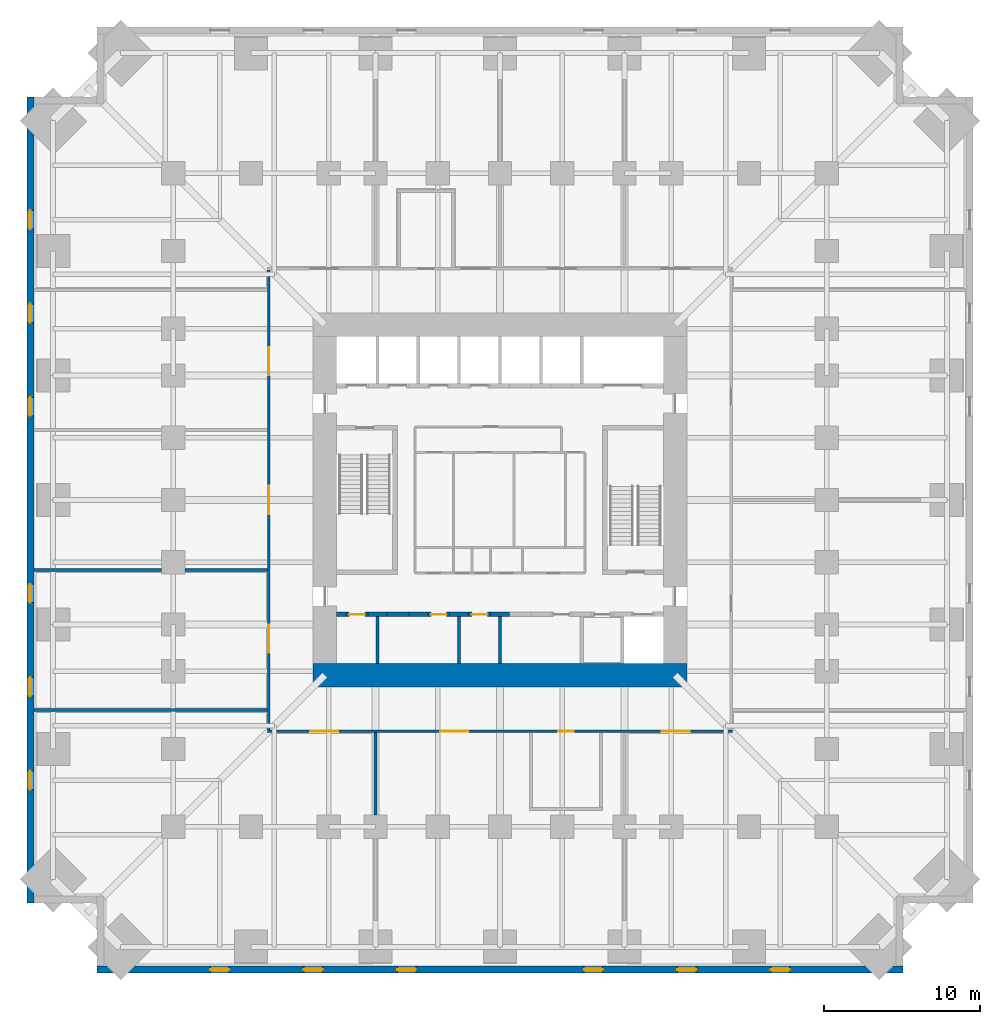
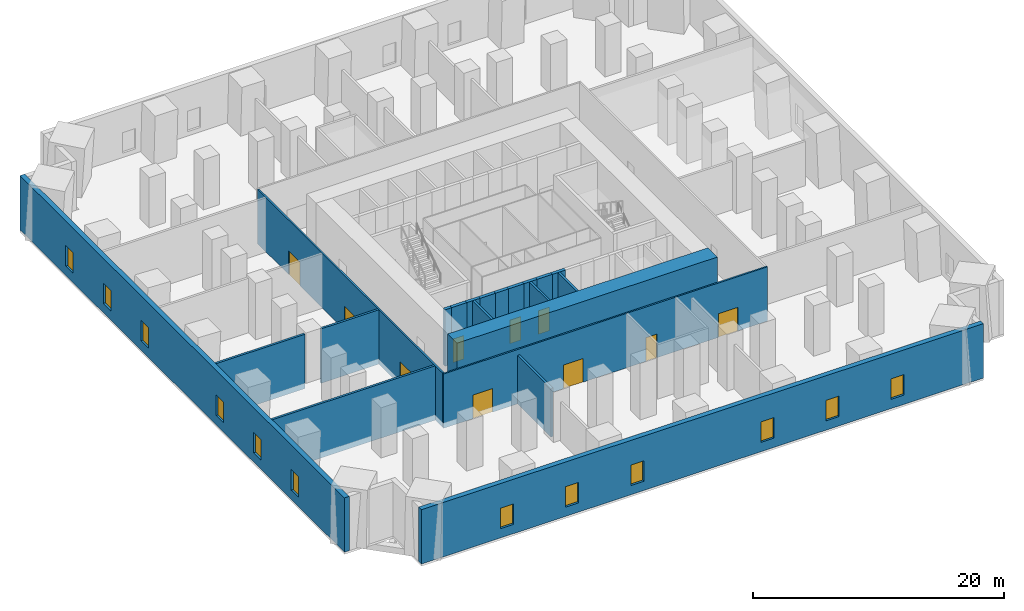
# One storey, part 3 of 8: 21 walls, 12 windows, 10 doors, 22 openings.
"""IFC4 building model written with IfcOpenShell, lengths in metres."""

import ifcopenshell
import ifcopenshell.guid

model = None  # the IFC model being written
_history = None  # IfcOwnerHistory: only IFC2X3 demands one
_inside = {}  # id of a spatial element -> (the spatial element, [elements in it])
_under = {}  # id of a project, library or spatial element -> (it, [spatial elements below it])
_declared = {}  # id of a project -> (the project, [libraries it declares])
_typed = {}  # id of a type object -> (the type object, [elements of that type])
_made_of = {}  # id of a material, layer set ... -> (it, [elements and type objects made of it])


def new_model(schema):
    """Start an empty IFC model of exactly this schema.

    Asked for "IFC4X3", IfcOpenShell would pick the latest addendum, in which some entities
    have other attributes; the version numbers below select the first issue.
    IFC2X3 requires an IfcOwnerHistory on every rooted entity: one is made here for all.
    """
    global model, _history
    if schema == "IFC4X3":
        model = ifcopenshell.file(schema_version=(4, 3, 0, 0))
    else:
        model = ifcopenshell.file(schema=schema)
    _inside.clear()
    _under.clear()
    _declared.clear()
    _typed.clear()
    _made_of.clear()
    _history = None
    if model.schema == "IFC2X3":
        org = make("IfcOrganization", Name="unknown")
        user = make(
            "IfcPersonAndOrganization",
            ThePerson=make("IfcPerson", FamilyName="unknown"),
            TheOrganization=org,
        )
        app = make(
            "IfcApplication",
            ApplicationDeveloper=org,
            Version="unknown",
            ApplicationFullName="unknown",
            ApplicationIdentifier="unknown",
        )
        _history = make(
            "IfcOwnerHistory",
            OwningUser=user,
            OwningApplication=app,
            ChangeAction="ADDED",
            CreationDate=0,
        )
    return model


def make(cls, **values):
    """One entity of the class cls with the attributes given. An attribute that is None is left unset."""
    return model.create_entity(
        cls, **{name: value for name, value in values.items() if value is not None}
    )


def rooted(cls, **values):
    """An entity with a GlobalId (a new one), such as an element, a storey or a relation."""
    return make(cls, GlobalId=ifcopenshell.guid.new(), OwnerHistory=_history, **values)


def si_unit(unit_type, name, prefix=None):
    """IfcSIUnit, for example si_unit("LENGTHUNIT", "METRE", prefix="MILLI")."""
    return make("IfcSIUnit", UnitType=unit_type, Prefix=prefix, Name=name)


def assignment(units):
    """IfcUnitAssignment: the units of a project."""
    return None if units is None else make("IfcUnitAssignment", Units=units)


def point(xyz):
    """IfcCartesianPoint."""
    return None if xyz is None else make("IfcCartesianPoint", Coordinates=xyz)


def direction(xyz):
    """IfcDirection."""
    return None if xyz is None else make("IfcDirection", DirectionRatios=xyz)


def frame(location, z_axis=None, x_axis=None):
    """IfcAxis2Placement3D, a coordinate frame: its origin and axes. An axis left out is left unset."""
    return make(
        "IfcAxis2Placement3D",
        Location=point(location),
        Axis=direction(z_axis),
        RefDirection=direction(x_axis),
    )


def frame_2d(location, x_axis=None):
    """IfcAxis2Placement2D, a coordinate frame in the plane: its origin and x axis."""
    return make(
        "IfcAxis2Placement2D", Location=point(location), RefDirection=direction(x_axis)
    )


def origin():
    """The frame at (0, 0, 0) with its axes left unset."""
    return frame((0.0, 0.0, 0.0))


def place(relative_to, where):
    """IfcLocalPlacement: puts the frame where relative to a parent placement (None: the world)."""
    return make(
        "IfcLocalPlacement", PlacementRelTo=relative_to, RelativePlacement=where
    )


def context(
    kind, dimensions, precision=None, world=None, true_north=None, identifier=None
):
    """IfcGeometricRepresentationContext, for example the 3D "Model" context."""
    return make(
        "IfcGeometricRepresentationContext",
        ContextIdentifier=identifier,
        ContextType=kind,
        CoordinateSpaceDimension=dimensions,
        Precision=precision,
        WorldCoordinateSystem=world,
        TrueNorth=true_north,
    )


def subcontext(parent, identifier, kind, view, scale=None):
    """IfcGeometricRepresentationSubContext, for example "Body" below "Model"."""
    return make(
        "IfcGeometricRepresentationSubContext",
        ContextIdentifier=identifier,
        ContextType=kind,
        ParentContext=parent,
        TargetScale=scale,
        TargetView=view,
    )


def project(units=None, contexts=None):
    """IfcProject with its units and contexts."""
    return rooted(
        "IfcProject",
        Name="project",
        RepresentationContexts=contexts,
        UnitsInContext=assignment(units),
    )


def spatial(cls, under=None, at=None, **own):
    """A site, building, storey or space (cls), placed at a placement, below another one or the project."""
    s = rooted(cls, ObjectPlacement=at, **own)
    if under is not None:
        _under.setdefault(under.id(), (under, []))[1].append(s)
    return s


def profile(cls, at=None, kind="AREA", **sizes):
    """A parametric profile (cls). Its sizes go by their IFC names, for example OverallWidth=200.0."""
    return make(cls, ProfileType=kind, Position=at, **sizes)


def rectangle(**sizes):
    """IfcRectangleProfileDef."""
    return profile("IfcRectangleProfileDef", **sizes)


def extrude(swept, where, along, depth):
    """IfcExtrudedAreaSolid: the profile swept, set in the frame where, extruded along a direction by depth."""
    return make(
        "IfcExtrudedAreaSolid",
        SweptArea=swept,
        Position=where,
        ExtrudedDirection=direction(along),
        Depth=depth,
    )


def shape(context_of_items, identifier, shape_type, items):
    """IfcShapeRepresentation: the items that make up one representation, for example the "Body"."""
    return make(
        "IfcShapeRepresentation",
        ContextOfItems=context_of_items,
        RepresentationIdentifier=identifier,
        RepresentationType=shape_type,
        Items=items,
    )


def material(Name=None, Category=None):
    """IfcMaterial."""
    return make("IfcMaterial", Name=Name, Category=Category)


def layer(
    of_material, thickness, ventilated=None, Name=None, Category=None, Priority=None
):
    """IfcMaterialLayer: one layer of a wall or slab, of a material (None: an air gap)."""
    return make(
        "IfcMaterialLayer",
        Material=of_material,
        LayerThickness=thickness,
        IsVentilated=ventilated,
        Name=Name,
        Category=Category,
        Priority=Priority,
    )


def layer_set(layers, Name=None):
    """IfcMaterialLayerSet."""
    return make("IfcMaterialLayerSet", MaterialLayers=layers, LayerSetName=Name)


def made_of(thing, what):
    """Note that an element or type object is made of a material, layer set ...; save() writes the relation."""
    if what is not None:
        _made_of.setdefault(what.id(), (what, []))[1].append(thing)
    return thing


def type_object(cls, material=None, **own):
    """A type object (cls), such as IfcWallType, which elements share."""
    return made_of(rooted(cls, **own), material)


def element(
    cls,
    number,
    at=None,
    inside=None,
    cuts=None,
    type_object=None,
    material=None,
    context=None,
    identifier="Body",
    shape_type=None,
    held_by="IfcProductDefinitionShape",
    body=None,
    shapes=None,
    **own,
):
    """One element of the class cls, such as IfcWall. Its Tag is "e" and its number.

    at: its placement. inside: the storey or other place that contains it. cuts: it is an
    opening in that element (IfcRelVoidsElement). A single representation is given by context,
    identifier, shape_type and body (its items); several are given by shapes. held_by: the class
    of the entity that holds the representations. save() writes the other relations.
    """
    e = rooted(cls, Tag="e%d" % number, ObjectPlacement=at, **own)
    if body is not None:
        shapes = [shape(context, identifier, shape_type, body)]
    if shapes is not None:
        e.Representation = make(held_by, Representations=shapes)
    if inside is not None:
        _inside.setdefault(inside.id(), (inside, []))[1].append(e)
    if cuts is not None:
        rooted(
            "IfcRelVoidsElement", RelatingBuildingElement=cuts, RelatedOpeningElement=e
        )
    if type_object is not None:
        _typed.setdefault(type_object.id(), (type_object, []))[1].append(e)
    return made_of(e, material)


def fill(opening, filler):
    """IfcRelFillsElement: the door or window that sits in an opening."""
    return rooted(
        "IfcRelFillsElement",
        RelatingOpeningElement=opening,
        RelatedBuildingElement=filler,
    )


def aggregate(whole, parts):
    """IfcRelAggregates: a whole, such as a stair, and the parts it consists of."""
    return rooted("IfcRelAggregates", RelatingObject=whole, RelatedObjects=parts)


def save(model, path):
    """Write the relations noted so far, then the file.

    IfcRelAggregates (storeys below a building ...), IfcRelContainedInSpatialStructure (elements
    in a storey), IfcRelDefinesByType, IfcRelAssociatesMaterial and IfcRelDeclares: one each for
    every whole, place, type object, material and project.
    """
    for whole, parts in _under.values():
        aggregate(whole, parts)
    for where, things in _inside.values():
        rooted(
            "IfcRelContainedInSpatialStructure",
            RelatedElements=things,
            RelatingStructure=where,
        )
    for kind, things in _typed.values():
        rooted("IfcRelDefinesByType", RelatedObjects=things, RelatingType=kind)
    for what, things in _made_of.values():
        rooted("IfcRelAssociatesMaterial", RelatedObjects=things, RelatingMaterial=what)
    for by, libraries in _declared.values():
        rooted("IfcRelDeclares", RelatingContext=by, RelatedDefinitions=libraries)
    model.write(path)


model = new_model("IFC4")

# Units and contexts
model_context = context("Model", 3, precision=1e-05, world=origin(), true_north=direction((0.0, 1.0)))
body_context = subcontext(model_context, "Body", "Model", "MODEL_VIEW")
ifc_project = project(units=[si_unit("LENGTHUNIT", "METRE"), si_unit("AREAUNIT", "SQUARE_METRE"), si_unit("VOLUMEUNIT", "CUBIC_METRE"), si_unit("PLANEANGLEUNIT", "RADIAN"), si_unit("MASSUNIT", "GRAM", prefix="KILO")], contexts=[model_context])

# Site, building, storey
site_placement = place(None, origin())
site = spatial("IfcSite", under=ifc_project, at=site_placement, CompositionType="ELEMENT")
building_placement = place(site_placement, origin())
building = spatial("IfcBuilding", under=site, at=building_placement, Name="Peilmerk Tower", CompositionType="ELEMENT")
storey_placement = place(building_placement, frame((0.0, 0.0, 54.0)))
storey = spatial("IfcBuildingStorey", under=building, at=storey_placement, Name="L10", CompositionType="ELEMENT", Elevation=54.0)

# Wall, openings, windows
ifc_material_1 = material(Name="Precast concrete C45/55, board-marked finish", Category="concrete")
ifc_layer_1 = layer(ifc_material_1, 0.449951171875)
ifc_layer_set_1 = layer_set([ifc_layer_1], Name="Precast concrete C45/55, board-marked finish")
wall_type_1 = type_object("IfcWallType", Name="EW1 450 precast concrete facade wall, board-marked", PredefinedType="SOLIDWALL", material=ifc_layer_set_1)
wall_1_placement = place(storey_placement, frame((-25.89990234375, -30.175048828125, 0.0), z_axis=(0.0, 0.0, 1.0), x_axis=(1.0, 0.0, 0.0)))
wall_1 = element("IfcWall", 1, at=wall_1_placement, inside=storey, type_object=wall_type_1, Name="Facade wall S L10", PredefinedType="SOLIDWALL", context=body_context, shape_type="SweptSolid", body=[
    extrude(rectangle(XDim=51.7998046875, YDim=0.449951171875, at=frame_2d((25.89990234375, 0.0))), origin(), (0.0, 0.0, 1.0), 5.300048828125),
])
opening_1_placement = place(wall_1_placement, frame((7.300048828125, 0.0, 0.89990234375)))
opening_1 = element("IfcOpeningElement", 2, at=opening_1_placement, cuts=wall_1, Name="Opening W2", PredefinedType="OPENING", context=body_context, shape_type="SweptSolid", body=[
    extrude(rectangle(XDim=1.199951171875, YDim=2.0, at=frame_2d((0.60009765625, 1.0))), frame((0.0, 0.23486328125, 0.0), z_axis=(0.0, -1.0, 0.0), x_axis=(1.0, 0.0, 0.0)), (0.0, 0.0, 1.0), 0.469970703125),
])
opening_2_placement = place(wall_1_placement, frame((13.300048828125, 0.0, 0.89990234375)))
opening_2 = element("IfcOpeningElement", 3, at=opening_2_placement, cuts=wall_1, Name="Opening W2", PredefinedType="OPENING", context=body_context, shape_type="SweptSolid", body=[
    extrude(rectangle(XDim=1.199951171875, YDim=2.0, at=frame_2d((0.60009765625, 1.0))), frame((0.0, 0.23486328125, 0.0), z_axis=(0.0, -1.0, 0.0), x_axis=(1.0, 0.0, 0.0)), (0.0, 0.0, 1.0), 0.469970703125),
])
opening_3_placement = place(wall_1_placement, frame((19.300048828125, 0.0, 0.89990234375)))
opening_3 = element("IfcOpeningElement", 4, at=opening_3_placement, cuts=wall_1, Name="Opening W2", PredefinedType="OPENING", context=body_context, shape_type="SweptSolid", body=[
    extrude(rectangle(XDim=1.199951171875, YDim=2.0, at=frame_2d((0.60009765625, 1.0))), frame((0.0, 0.23486328125, 0.0), z_axis=(0.0, -1.0, 0.0), x_axis=(1.0, 0.0, 0.0)), (0.0, 0.0, 1.0), 0.469970703125),
])
opening_4_placement = place(wall_1_placement, frame((31.300048828125, 0.0, 0.89990234375)))
opening_4 = element("IfcOpeningElement", 5, at=opening_4_placement, cuts=wall_1, Name="Opening W2", PredefinedType="OPENING", context=body_context, shape_type="SweptSolid", body=[
    extrude(rectangle(XDim=1.199951171875, YDim=2.0, at=frame_2d((0.60009765625, 1.0))), frame((0.0, 0.23486328125, 0.0), z_axis=(0.0, -1.0, 0.0), x_axis=(1.0, 0.0, 0.0)), (0.0, 0.0, 1.0), 0.469970703125),
])
opening_5_placement = place(wall_1_placement, frame((37.300048828125, 0.0, 0.89990234375)))
opening_5 = element("IfcOpeningElement", 6, at=opening_5_placement, cuts=wall_1, Name="Opening W2", PredefinedType="OPENING", context=body_context, shape_type="SweptSolid", body=[
    extrude(rectangle(XDim=1.199951171875, YDim=2.0, at=frame_2d((0.60009765625, 1.0))), frame((0.0, 0.23486328125, 0.0), z_axis=(0.0, -1.0, 0.0), x_axis=(1.0, 0.0, 0.0)), (0.0, 0.0, 1.0), 0.469970703125),
])
opening_6_placement = place(wall_1_placement, frame((43.300048828125, 0.0, 0.89990234375)))
opening_6 = element("IfcOpeningElement", 7, at=opening_6_placement, cuts=wall_1, Name="Opening W2", PredefinedType="OPENING", context=body_context, shape_type="SweptSolid", body=[
    extrude(rectangle(XDim=1.199951171875, YDim=2.0, at=frame_2d((0.60009765625, 1.0))), frame((0.0, 0.23486328125, 0.0), z_axis=(0.0, -1.0, 0.0), x_axis=(1.0, 0.0, 0.0)), (0.0, 0.0, 1.0), 0.469970703125),
])
ifc_material_2 = material(Name="Aluminium frame, clear double glazing", Category="aluminium")
window_type = type_object("IfcWindowType", Name="W2 1200x2000 data hall slot window", PartitioningType="SINGLE_PANEL", PredefinedType="WINDOW", material=ifc_material_2)
window_1_placement = place(opening_1_placement, origin())
window_1 = element("IfcWindow", 8, at=window_1_placement, inside=storey, type_object=window_type, Name="Window W2 L10", OverallHeight=2.0, OverallWidth=1.199951171875, PartitioningType="SINGLE_PANEL", PredefinedType="WINDOW", context=body_context, shape_type="SweptSolid", body=[
    extrude(rectangle(XDim=1.199951171875, YDim=2.0, at=frame_2d((0.60009765625, 1.0))), frame((0.0, 0.030029296875, 0.0), z_axis=(0.0, -1.0, 0.0), x_axis=(1.0, 0.0, 0.0)), (0.0, 0.0, 1.0), 0.06005859375),
])
fill(opening_1, window_1)
window_2_placement = place(opening_2_placement, origin())
window_2 = element("IfcWindow", 9, at=window_2_placement, inside=storey, type_object=window_type, Name="Window W2 L10", OverallHeight=2.0, OverallWidth=1.199951171875, PartitioningType="SINGLE_PANEL", PredefinedType="WINDOW", context=body_context, shape_type="SweptSolid", body=[
    extrude(rectangle(XDim=1.199951171875, YDim=2.0, at=frame_2d((0.60009765625, 1.0))), frame((0.0, 0.030029296875, 0.0), z_axis=(0.0, -1.0, 0.0), x_axis=(1.0, 0.0, 0.0)), (0.0, 0.0, 1.0), 0.06005859375),
])
fill(opening_2, window_2)
window_3_placement = place(opening_3_placement, origin())
window_3 = element("IfcWindow", 10, at=window_3_placement, inside=storey, type_object=window_type, Name="Window W2 L10", OverallHeight=2.0, OverallWidth=1.199951171875, PartitioningType="SINGLE_PANEL", PredefinedType="WINDOW", context=body_context, shape_type="SweptSolid", body=[
    extrude(rectangle(XDim=1.199951171875, YDim=2.0, at=frame_2d((0.60009765625, 1.0))), frame((0.0, 0.030029296875, 0.0), z_axis=(0.0, -1.0, 0.0), x_axis=(1.0, 0.0, 0.0)), (0.0, 0.0, 1.0), 0.06005859375),
])
fill(opening_3, window_3)
window_4_placement = place(opening_4_placement, origin())
window_4 = element("IfcWindow", 11, at=window_4_placement, inside=storey, type_object=window_type, Name="Window W2 L10", OverallHeight=2.0, OverallWidth=1.199951171875, PartitioningType="SINGLE_PANEL", PredefinedType="WINDOW", context=body_context, shape_type="SweptSolid", body=[
    extrude(rectangle(XDim=1.199951171875, YDim=2.0, at=frame_2d((0.60009765625, 1.0))), frame((0.0, 0.030029296875, 0.0), z_axis=(0.0, -1.0, 0.0), x_axis=(1.0, 0.0, 0.0)), (0.0, 0.0, 1.0), 0.06005859375),
])
fill(opening_4, window_4)
window_5_placement = place(opening_5_placement, origin())
window_5 = element("IfcWindow", 12, at=window_5_placement, inside=storey, type_object=window_type, Name="Window W2 L10", OverallHeight=2.0, OverallWidth=1.199951171875, PartitioningType="SINGLE_PANEL", PredefinedType="WINDOW", context=body_context, shape_type="SweptSolid", body=[
    extrude(rectangle(XDim=1.199951171875, YDim=2.0, at=frame_2d((0.60009765625, 1.0))), frame((0.0, 0.030029296875, 0.0), z_axis=(0.0, -1.0, 0.0), x_axis=(1.0, 0.0, 0.0)), (0.0, 0.0, 1.0), 0.06005859375),
])
fill(opening_5, window_5)
window_6_placement = place(opening_6_placement, origin())
window_6 = element("IfcWindow", 13, at=window_6_placement, inside=storey, type_object=window_type, Name="Window W2 L10", OverallHeight=2.0, OverallWidth=1.199951171875, PartitioningType="SINGLE_PANEL", PredefinedType="WINDOW", context=body_context, shape_type="SweptSolid", body=[
    extrude(rectangle(XDim=1.199951171875, YDim=2.0, at=frame_2d((0.60009765625, 1.0))), frame((0.0, 0.030029296875, 0.0), z_axis=(0.0, -1.0, 0.0), x_axis=(1.0, 0.0, 0.0)), (0.0, 0.0, 1.0), 0.06005859375),
])
fill(opening_6, window_6)

wall_2_placement = place(storey_placement, frame((-30.175048828125, 25.89990234375, 0.0), z_axis=(0.0, 0.0, 1.0), x_axis=(0.0, -1.0, 0.0)))
wall_2 = element("IfcWall", 14, at=wall_2_placement, inside=storey, type_object=wall_type_1, Name="Facade wall W L10", PredefinedType="SOLIDWALL", context=body_context, shape_type="SweptSolid", body=[
    extrude(rectangle(XDim=51.7998046875, YDim=0.449951171875, at=frame_2d((25.89990234375, 0.0))), origin(), (0.0, 0.0, 1.0), 5.300048828125),
])
opening_7_placement = place(wall_2_placement, frame((7.300048828125, 0.0, 0.89990234375)))
opening_7 = element("IfcOpeningElement", 15, at=opening_7_placement, cuts=wall_2, Name="Opening W2", PredefinedType="OPENING", context=body_context, shape_type="SweptSolid", body=[
    extrude(rectangle(XDim=1.199951171875, YDim=2.0, at=frame_2d((0.60009765625, 1.0))), frame((0.0, 0.23486328125, 0.0), z_axis=(0.0, -1.0, 0.0), x_axis=(1.0, 0.0, 0.0)), (0.0, 0.0, 1.0), 0.469970703125),
])
opening_8_placement = place(wall_2_placement, frame((13.300048828125, 0.0, 0.89990234375)))
opening_8 = element("IfcOpeningElement", 16, at=opening_8_placement, cuts=wall_2, Name="Opening W2", PredefinedType="OPENING", context=body_context, shape_type="SweptSolid", body=[
    extrude(rectangle(XDim=1.199951171875, YDim=2.0, at=frame_2d((0.60009765625, 1.0))), frame((0.0, 0.23486328125, 0.0), z_axis=(0.0, -1.0, 0.0), x_axis=(1.0, 0.0, 0.0)), (0.0, 0.0, 1.0), 0.469970703125),
])
opening_9_placement = place(wall_2_placement, frame((19.300048828125, 0.0, 0.89990234375)))
opening_9 = element("IfcOpeningElement", 17, at=opening_9_placement, cuts=wall_2, Name="Opening W2", PredefinedType="OPENING", context=body_context, shape_type="SweptSolid", body=[
    extrude(rectangle(XDim=1.199951171875, YDim=2.0, at=frame_2d((0.60009765625, 1.0))), frame((0.0, 0.23486328125, 0.0), z_axis=(0.0, -1.0, 0.0), x_axis=(1.0, 0.0, 0.0)), (0.0, 0.0, 1.0), 0.469970703125),
])
opening_10_placement = place(wall_2_placement, frame((31.300048828125, 0.0, 0.89990234375)))
opening_10 = element("IfcOpeningElement", 18, at=opening_10_placement, cuts=wall_2, Name="Opening W2", PredefinedType="OPENING", context=body_context, shape_type="SweptSolid", body=[
    extrude(rectangle(XDim=1.199951171875, YDim=2.0, at=frame_2d((0.60009765625, 1.0))), frame((0.0, 0.23486328125, 0.0), z_axis=(0.0, -1.0, 0.0), x_axis=(1.0, 0.0, 0.0)), (0.0, 0.0, 1.0), 0.469970703125),
])
opening_11_placement = place(wall_2_placement, frame((37.300048828125, 0.0, 0.89990234375)))
opening_11 = element("IfcOpeningElement", 19, at=opening_11_placement, cuts=wall_2, Name="Opening W2", PredefinedType="OPENING", context=body_context, shape_type="SweptSolid", body=[
    extrude(rectangle(XDim=1.199951171875, YDim=2.0, at=frame_2d((0.60009765625, 1.0))), frame((0.0, 0.23486328125, 0.0), z_axis=(0.0, -1.0, 0.0), x_axis=(1.0, 0.0, 0.0)), (0.0, 0.0, 1.0), 0.469970703125),
])
opening_12_placement = place(wall_2_placement, frame((43.300048828125, 0.0, 0.89990234375)))
opening_12 = element("IfcOpeningElement", 20, at=opening_12_placement, cuts=wall_2, Name="Opening W2", PredefinedType="OPENING", context=body_context, shape_type="SweptSolid", body=[
    extrude(rectangle(XDim=1.199951171875, YDim=2.0, at=frame_2d((0.60009765625, 1.0))), frame((0.0, 0.23486328125, 0.0), z_axis=(0.0, -1.0, 0.0), x_axis=(1.0, 0.0, 0.0)), (0.0, 0.0, 1.0), 0.469970703125),
])
window_7_placement = place(opening_7_placement, origin())
window_7 = element("IfcWindow", 21, at=window_7_placement, inside=storey, type_object=window_type, Name="Window W2 L10", OverallHeight=2.0, OverallWidth=1.199951171875, PartitioningType="SINGLE_PANEL", PredefinedType="WINDOW", context=body_context, shape_type="SweptSolid", body=[
    extrude(rectangle(XDim=1.199951171875, YDim=2.0, at=frame_2d((0.60009765625, 1.0))), frame((0.0, 0.030029296875, 0.0), z_axis=(0.0, -1.0, 0.0), x_axis=(1.0, 0.0, 0.0)), (0.0, 0.0, 1.0), 0.06005859375),
])
fill(opening_7, window_7)
window_8_placement = place(opening_8_placement, origin())
window_8 = element("IfcWindow", 22, at=window_8_placement, inside=storey, type_object=window_type, Name="Window W2 L10", OverallHeight=2.0, OverallWidth=1.199951171875, PartitioningType="SINGLE_PANEL", PredefinedType="WINDOW", context=body_context, shape_type="SweptSolid", body=[
    extrude(rectangle(XDim=1.199951171875, YDim=2.0, at=frame_2d((0.60009765625, 1.0))), frame((0.0, 0.030029296875, 0.0), z_axis=(0.0, -1.0, 0.0), x_axis=(1.0, 0.0, 0.0)), (0.0, 0.0, 1.0), 0.06005859375),
])
fill(opening_8, window_8)
window_9_placement = place(opening_9_placement, origin())
window_9 = element("IfcWindow", 23, at=window_9_placement, inside=storey, type_object=window_type, Name="Window W2 L10", OverallHeight=2.0, OverallWidth=1.199951171875, PartitioningType="SINGLE_PANEL", PredefinedType="WINDOW", context=body_context, shape_type="SweptSolid", body=[
    extrude(rectangle(XDim=1.199951171875, YDim=2.0, at=frame_2d((0.60009765625, 1.0))), frame((0.0, 0.030029296875, 0.0), z_axis=(0.0, -1.0, 0.0), x_axis=(1.0, 0.0, 0.0)), (0.0, 0.0, 1.0), 0.06005859375),
])
fill(opening_9, window_9)
window_10_placement = place(opening_10_placement, origin())
window_10 = element("IfcWindow", 24, at=window_10_placement, inside=storey, type_object=window_type, Name="Window W2 L10", OverallHeight=2.0, OverallWidth=1.199951171875, PartitioningType="SINGLE_PANEL", PredefinedType="WINDOW", context=body_context, shape_type="SweptSolid", body=[
    extrude(rectangle(XDim=1.199951171875, YDim=2.0, at=frame_2d((0.60009765625, 1.0))), frame((0.0, 0.030029296875, 0.0), z_axis=(0.0, -1.0, 0.0), x_axis=(1.0, 0.0, 0.0)), (0.0, 0.0, 1.0), 0.06005859375),
])
fill(opening_10, window_10)
window_11_placement = place(opening_11_placement, origin())
window_11 = element("IfcWindow", 25, at=window_11_placement, inside=storey, type_object=window_type, Name="Window W2 L10", OverallHeight=2.0, OverallWidth=1.199951171875, PartitioningType="SINGLE_PANEL", PredefinedType="WINDOW", context=body_context, shape_type="SweptSolid", body=[
    extrude(rectangle(XDim=1.199951171875, YDim=2.0, at=frame_2d((0.60009765625, 1.0))), frame((0.0, 0.030029296875, 0.0), z_axis=(0.0, -1.0, 0.0), x_axis=(1.0, 0.0, 0.0)), (0.0, 0.0, 1.0), 0.06005859375),
])
fill(opening_11, window_11)
window_12_placement = place(opening_12_placement, origin())
window_12 = element("IfcWindow", 26, at=window_12_placement, inside=storey, type_object=window_type, Name="Window W2 L10", OverallHeight=2.0, OverallWidth=1.199951171875, PartitioningType="SINGLE_PANEL", PredefinedType="WINDOW", context=body_context, shape_type="SweptSolid", body=[
    extrude(rectangle(XDim=1.199951171875, YDim=2.0, at=frame_2d((0.60009765625, 1.0))), frame((0.0, 0.030029296875, 0.0), z_axis=(0.0, -1.0, 0.0), x_axis=(1.0, 0.0, 0.0)), (0.0, 0.0, 1.0), 0.06005859375),
])
fill(opening_12, window_12)

# Wall, openings, doors
ifc_material_3 = material(Name="Calcium silicate block", Category="masonry")
ifc_layer_2 = layer(ifc_material_3, 0.14990234375)
ifc_layer_set_2 = layer_set([ifc_layer_2], Name="Calcium silicate block")
wall_type_2 = type_object("IfcWallType", Name="IW1 150 corridor partition, EI 60", PredefinedType="PARTITIONING", material=ifc_layer_set_2)
wall_3_placement = place(storey_placement, frame((14.925048828125, -14.85009765625, 0.0), z_axis=(0.0, 0.0, 1.0), x_axis=(-1.0, 0.0, 0.0)))
wall_3 = element("IfcWall", 27, at=wall_3_placement, inside=storey, type_object=wall_type_2, Name="Corridor wall S L10", PredefinedType="PARTITIONING", context=body_context, shape_type="SweptSolid", body=[
    extrude(rectangle(XDim=29.85009765625, YDim=0.14990234375, at=frame_2d((14.925048828125, 0.0))), origin(), (0.0, 0.0, 1.0), 5.300048828125),
])
opening_13_placement = place(wall_3_placement, frame((25.324951171875, 0.0, 0.0)))
opening_13 = element("IfcOpeningElement", 28, at=opening_13_placement, cuts=wall_3, Name="Opening D2", PredefinedType="OPENING", context=body_context, shape_type="SweptSolid", body=[
    extrude(rectangle(XDim=1.800048828125, YDim=2.300048828125, at=frame_2d((0.89990234375, 1.14990234375))), frame((0.0, 0.0849609375, 0.0), z_axis=(0.0, -1.0, 0.0), x_axis=(1.0, 0.0, 0.0)), (0.0, 0.0, 1.0), 0.169921875),
])
opening_14_placement = place(wall_3_placement, frame((16.97509765625, 0.0, 0.0)))
opening_14 = element("IfcOpeningElement", 29, at=opening_14_placement, cuts=wall_3, Name="Opening D2", PredefinedType="OPENING", context=body_context, shape_type="SweptSolid", body=[
    extrude(rectangle(XDim=1.800048828125, YDim=2.300048828125, at=frame_2d((0.89990234375, 1.14990234375))), frame((0.0, 0.0849609375, 0.0), z_axis=(0.0, -1.0, 0.0), x_axis=(1.0, 0.0, 0.0)), (0.0, 0.0, 1.0), 0.169921875),
])
opening_15_placement = place(wall_3_placement, frame((2.72509765625, 0.0, 0.0)))
opening_15 = element("IfcOpeningElement", 30, at=opening_15_placement, cuts=wall_3, Name="Opening D2", PredefinedType="OPENING", context=body_context, shape_type="SweptSolid", body=[
    extrude(rectangle(XDim=1.800048828125, YDim=2.300048828125, at=frame_2d((0.89990234375, 1.14990234375))), frame((0.0, 0.0849609375, 0.0), z_axis=(0.0, -1.0, 0.0), x_axis=(1.0, 0.0, 0.0)), (0.0, 0.0, 1.0), 0.169921875),
])
opening_16_placement = place(wall_3_placement, frame((10.175048828125, 0.0, 0.0)))
opening_16 = element("IfcOpeningElement", 31, at=opening_16_placement, cuts=wall_3, Name="Opening D1", PredefinedType="OPENING", context=body_context, shape_type="SweptSolid", body=[
    extrude(rectangle(XDim=1.0, YDim=2.300048828125, at=frame_2d((0.5, 1.14990234375))), frame((0.0, 0.0849609375, 0.0), z_axis=(0.0, -1.0, 0.0), x_axis=(1.0, 0.0, 0.0)), (0.0, 0.0, 1.0), 0.169921875),
])
ifc_material_4 = material(Name="Timber door in steel frame", Category="steel")
door_type_1 = type_object("IfcDoorType", Name="D1 1000x2300 room door, EI2 30", OperationType="SINGLE_SWING_LEFT", PredefinedType="DOOR", material=ifc_material_4)
door_1_placement = place(opening_16_placement, origin())
door_1 = element("IfcDoor", 32, at=door_1_placement, inside=storey, type_object=door_type_1, Name="Door Security control room L10", OperationType="SINGLE_SWING_LEFT", OverallHeight=2.300048828125, OverallWidth=1.0, PredefinedType="DOOR", context=body_context, shape_type="SweptSolid", body=[
    extrude(rectangle(XDim=1.0, YDim=2.300048828125, at=frame_2d((0.5, 1.14990234375))), frame((0.0, 0.02490234375, 0.0), z_axis=(0.0, -1.0, 0.0), x_axis=(1.0, 0.0, 0.0)), (0.0, 0.0, 1.0), 0.050048828125),
])
fill(opening_16, door_1)
ifc_material_5 = material(Name="Steel door in steel frame", Category="steel")
door_type_2 = type_object("IfcDoorType", Name="D2 1800x2300 double door, EI2 60", OperationType="DOUBLE_DOOR_DOUBLE_SWING", PredefinedType="DOOR", material=ifc_material_5)
door_2_placement = place(opening_13_placement, origin())
door_2 = element("IfcDoor", 33, at=door_2_placement, inside=storey, type_object=door_type_2, Name="Door Data suite E L10", OperationType="DOUBLE_DOOR_DOUBLE_SWING", OverallHeight=2.300048828125, OverallWidth=1.800048828125, PredefinedType="DOOR", context=body_context, shape_type="SweptSolid", body=[
    extrude(rectangle(XDim=1.800048828125, YDim=2.300048828125, at=frame_2d((0.89990234375, 1.14990234375))), frame((0.0, 0.02490234375, 0.0), z_axis=(0.0, -1.0, 0.0), x_axis=(1.0, 0.0, 0.0)), (0.0, 0.0, 1.0), 0.050048828125),
])
fill(opening_13, door_2)
door_3_placement = place(opening_14_placement, origin())
door_3 = element("IfcDoor", 34, at=door_3_placement, inside=storey, type_object=door_type_2, Name="Door Build room L10", OperationType="DOUBLE_DOOR_DOUBLE_SWING", OverallHeight=2.300048828125, OverallWidth=1.800048828125, PredefinedType="DOOR", context=body_context, shape_type="SweptSolid", body=[
    extrude(rectangle(XDim=1.800048828125, YDim=2.300048828125, at=frame_2d((0.89990234375, 1.14990234375))), frame((0.0, 0.02490234375, 0.0), z_axis=(0.0, -1.0, 0.0), x_axis=(1.0, 0.0, 0.0)), (0.0, 0.0, 1.0), 0.050048828125),
])
fill(opening_14, door_3)
door_4_placement = place(opening_15_placement, origin())
door_4 = element("IfcDoor", 35, at=door_4_placement, inside=storey, type_object=door_type_2, Name="Door Data suite F L10", OperationType="DOUBLE_DOOR_DOUBLE_SWING", OverallHeight=2.300048828125, OverallWidth=1.800048828125, PredefinedType="DOOR", context=body_context, shape_type="SweptSolid", body=[
    extrude(rectangle(XDim=1.800048828125, YDim=2.300048828125, at=frame_2d((0.89990234375, 1.14990234375))), frame((0.0, 0.02490234375, 0.0), z_axis=(0.0, -1.0, 0.0), x_axis=(1.0, 0.0, 0.0)), (0.0, 0.0, 1.0), 0.050048828125),
])
fill(opening_15, door_4)

wall_4_placement = place(storey_placement, frame((-14.85009765625, 14.77490234375, 0.0), z_axis=(0.0, 0.0, 1.0), x_axis=(0.0, -1.0, 0.0)))
wall_4 = element("IfcWall", 36, at=wall_4_placement, inside=storey, type_object=wall_type_2, Name="Corridor wall W L10", PredefinedType="PARTITIONING", context=body_context, shape_type="SweptSolid", body=[
    extrude(rectangle(XDim=29.5498046875, YDim=0.14990234375, at=frame_2d((14.77490234375, 0.0))), origin(), (0.0, 0.0, 1.0), 5.300048828125),
])
opening_17_placement = place(wall_4_placement, frame((22.77490234375, 0.0, 0.0)))
opening_17 = element("IfcOpeningElement", 37, at=opening_17_placement, cuts=wall_4, Name="Opening D2", PredefinedType="OPENING", context=body_context, shape_type="SweptSolid", body=[
    extrude(rectangle(XDim=1.800048828125, YDim=2.300048828125, at=frame_2d((0.89990234375, 1.14990234375))), frame((0.0, 0.0849609375, 0.0), z_axis=(0.0, -1.0, 0.0), x_axis=(1.0, 0.0, 0.0)), (0.0, 0.0, 1.0), 0.169921875),
])
opening_18_placement = place(wall_4_placement, frame((13.875, 0.0, 0.0)))
opening_18 = element("IfcOpeningElement", 38, at=opening_18_placement, cuts=wall_4, Name="Opening D2", PredefinedType="OPENING", context=body_context, shape_type="SweptSolid", body=[
    extrude(rectangle(XDim=1.800048828125, YDim=2.300048828125, at=frame_2d((0.89990234375, 1.14990234375))), frame((0.0, 0.0849609375, 0.0), z_axis=(0.0, -1.0, 0.0), x_axis=(1.0, 0.0, 0.0)), (0.0, 0.0, 1.0), 0.169921875),
])
opening_19_placement = place(wall_4_placement, frame((4.97509765625, 0.0, 0.0)))
opening_19 = element("IfcOpeningElement", 39, at=opening_19_placement, cuts=wall_4, Name="Opening D2", PredefinedType="OPENING", context=body_context, shape_type="SweptSolid", body=[
    extrude(rectangle(XDim=1.800048828125, YDim=2.300048828125, at=frame_2d((0.89990234375, 1.14990234375))), frame((0.0, 0.0849609375, 0.0), z_axis=(0.0, -1.0, 0.0), x_axis=(1.0, 0.0, 0.0)), (0.0, 0.0, 1.0), 0.169921875),
])
door_5_placement = place(opening_17_placement, frame((1.800048828125, 0.0, 0.0), z_axis=(0.0, 0.0, 1.0), x_axis=(-1.0, 0.0, 0.0)))
door_5 = element("IfcDoor", 40, at=door_5_placement, inside=storey, type_object=door_type_2, Name="Door UPS room L10", OperationType="DOUBLE_DOOR_DOUBLE_SWING", OverallHeight=2.300048828125, OverallWidth=1.800048828125, PredefinedType="DOOR", context=body_context, shape_type="SweptSolid", body=[
    extrude(rectangle(XDim=1.800048828125, YDim=2.300048828125, at=frame_2d((0.89990234375, 1.14990234375))), frame((0.0, 0.02490234375, 0.0), z_axis=(0.0, -1.0, 0.0), x_axis=(1.0, 0.0, 0.0)), (0.0, 0.0, 1.0), 0.050048828125),
])
fill(opening_17, door_5)
door_6_placement = place(opening_18_placement, frame((1.800048828125, 0.0, 0.0), z_axis=(0.0, 0.0, 1.0), x_axis=(-1.0, 0.0, 0.0)))
door_6 = element("IfcDoor", 41, at=door_6_placement, inside=storey, type_object=door_type_2, Name="Door Battery room L10", OperationType="DOUBLE_DOOR_DOUBLE_SWING", OverallHeight=2.300048828125, OverallWidth=1.800048828125, PredefinedType="DOOR", context=body_context, shape_type="SweptSolid", body=[
    extrude(rectangle(XDim=1.800048828125, YDim=2.300048828125, at=frame_2d((0.89990234375, 1.14990234375))), frame((0.0, 0.02490234375, 0.0), z_axis=(0.0, -1.0, 0.0), x_axis=(1.0, 0.0, 0.0)), (0.0, 0.0, 1.0), 0.050048828125),
])
fill(opening_18, door_6)
door_7_placement = place(opening_19_placement, frame((1.800048828125, 0.0, 0.0), z_axis=(0.0, 0.0, 1.0), x_axis=(-1.0, 0.0, 0.0)))
door_7 = element("IfcDoor", 42, at=door_7_placement, inside=storey, type_object=door_type_2, Name="Door Transformer room L10", OperationType="DOUBLE_DOOR_DOUBLE_SWING", OverallHeight=2.300048828125, OverallWidth=1.800048828125, PredefinedType="DOOR", context=body_context, shape_type="SweptSolid", body=[
    extrude(rectangle(XDim=1.800048828125, YDim=2.300048828125, at=frame_2d((0.89990234375, 1.14990234375))), frame((0.0, 0.02490234375, 0.0), z_axis=(0.0, -1.0, 0.0), x_axis=(1.0, 0.0, 0.0)), (0.0, 0.0, 1.0), 0.050048828125),
])
fill(opening_19, door_7)

# Walls
ifc_layer_3 = layer(ifc_material_3, 0.199951171875)
ifc_layer_set_3 = layer_set([ifc_layer_3], Name="Calcium silicate block")
wall_type_3 = type_object("IfcWallType", Name="IW2 200 room separating wall, EI 120", PredefinedType="PARTITIONING", material=ifc_layer_set_3)
wall_5_placement = place(storey_placement, frame((-14.925048828125, -13.5, 0.0), z_axis=(0.0, 0.0, 1.0), x_axis=(-1.0, 0.0, 0.0)))
element("IfcWall", 43, at=wall_5_placement, inside=storey, type_object=wall_type_3, Name="Room separating wall SW L10", PredefinedType="PARTITIONING", context=body_context, shape_type="SweptSolid", body=[
    extrude(rectangle(XDim=15.02490234375, YDim=0.199951171875, at=frame_2d((7.512451171875, 0.0))), origin(), (0.0, 0.0, 1.0), 5.300048828125),
])
wall_6_placement = place(storey_placement, frame((-8.0, -14.925048828125, 0.0), z_axis=(0.0, 0.0, 1.0), x_axis=(0.0, -1.0, 0.0)))
element("IfcWall", 44, at=wall_6_placement, inside=storey, type_object=wall_type_3, Name="Room separating wall S1 L10", PredefinedType="PARTITIONING", context=body_context, shape_type="SweptSolid", body=[
    extrude(rectangle(XDim=5.324951171875, YDim=0.199951171875, at=frame_2d((2.66259765625, 0.0))), origin(), (0.0, 0.0, 1.0), 4.73095703125),
])
wall_7_placement = place(storey_placement, frame((-14.925048828125, -4.5, 0.0), z_axis=(0.0, 0.0, 1.0), x_axis=(-1.0, 0.0, 0.0)))
element("IfcWall", 45, at=wall_7_placement, inside=storey, type_object=wall_type_3, Name="Room separating wall W1 L10", PredefinedType="PARTITIONING", context=body_context, shape_type="SweptSolid", body=[
    extrude(rectangle(XDim=5.324951171875, YDim=0.199951171875, at=frame_2d((2.66259765625, 0.0))), origin(), (0.0, 0.0, 1.0), 5.300048828125),
])
wall_8_placement = place(storey_placement, frame((-21.75, -4.5, 0.0), z_axis=(0.0, 0.0, 1.0), x_axis=(-1.0, 0.0, 0.0)))
element("IfcWall", 46, at=wall_8_placement, inside=storey, type_object=wall_type_3, Name="Room separating wall W1b L10", PredefinedType="PARTITIONING", context=body_context, shape_type="SweptSolid", body=[
    extrude(rectangle(XDim=8.199951171875, YDim=0.199951171875, at=frame_2d((4.10009765625, 0.0))), origin(), (0.0, 0.0, 1.0), 5.300048828125),
])
ifc_layer_4 = layer(ifc_material_3, 0.199951171875)
ifc_layer_set_4 = layer_set([ifc_layer_4], Name="Calcium silicate block")
wall_type_4 = type_object("IfcWallType", Name="SH1 200 shaft dividing wall, EI 120", PredefinedType="PARTITIONING", material=ifc_layer_set_4)
for number, where, z_axis, x_axis, name in (
    (47, (-7.875, -10.5, 0.0), (0.0, 0.0, 1.0), (0.0, 1.0, 0.0), "Shaft wall S C4 L10"),
    (48, (-2.625, -10.5, 0.0), (0.0, 0.0, 1.0), (0.0, 1.0, 0.0), "Shaft wall S C2 L10"),
    (49, (0.0, -10.5, 0.0), (0.0, 0.0, 1.0), (0.0, 1.0, 0.0), "Shaft wall S C1 L10"),
):
    element("IfcWall", number, at=place(storey_placement, frame(where, z_axis=z_axis, x_axis=x_axis)), inside=storey, type_object=wall_type_4, Name=name, PredefinedType="PARTITIONING", context=body_context, shape_type="SweptSolid", body=[
        extrude(rectangle(XDim=3.0, YDim=0.199951171875, at=frame_2d((1.5, 0.0))), origin(), (0.0, 0.0, 1.0), 5.5),
    ])

# Wall, opening, door
ifc_layer_5 = layer(ifc_material_3, 0.300048828125)
ifc_layer_set_5 = layer_set([ifc_layer_5], Name="Calcium silicate block")
wall_type_5 = type_object("IfcWallType", Name="SH2 300 lift landing door panel, EI 120", PredefinedType="PARTITIONING", material=ifc_layer_set_5)
wall_9_placement = place(storey_placement, frame((-9.887451171875, -7.35009765625, 0.0), z_axis=(0.0, 0.0, 1.0), x_axis=(1.0, 0.0, 0.0)))
wall_9 = element("IfcWall", 50, at=wall_9_placement, inside=storey, type_object=wall_type_5, Name="Lift door panel S C4 L10", PredefinedType="PARTITIONING", context=body_context, shape_type="SweptSolid", body=[
    extrude(rectangle(XDim=1.39990234375, YDim=0.300048828125, at=frame_2d((0.699951171875, 0.0))), origin(), (0.0, 0.0, 1.0), 5.5),
])
opening_20_placement = place(wall_9_placement, frame((0.199951171875, 0.0, 0.0)))
opening_20 = element("IfcOpeningElement", 51, at=opening_20_placement, cuts=wall_9, Name="Opening D10", PredefinedType="OPENING", context=body_context, shape_type="SweptSolid", body=[
    extrude(rectangle(XDim=1.0, YDim=2.300048828125, at=frame_2d((0.5, 1.14990234375))), frame((0.0, 0.159912109375, 0.0), z_axis=(0.0, -1.0, 0.0), x_axis=(1.0, 0.0, 0.0)), (0.0, 0.0, 1.0), 0.320068359375),
])
door_type_3 = type_object("IfcDoorType", Name="D10 1000x2300 core room door, EI2 60", OperationType="SINGLE_SWING_RIGHT", PredefinedType="DOOR", material=ifc_material_5)
door_8_placement = place(opening_20_placement, frame((1.0, 0.0, 0.0), z_axis=(0.0, 0.0, 1.0), x_axis=(-1.0, 0.0, 0.0)))
door_8 = element("IfcDoor", 52, at=door_8_placement, inside=storey, type_object=door_type_3, Name="Door Water meter room L10", OperationType="SINGLE_SWING_RIGHT", OverallHeight=2.300048828125, OverallWidth=1.0, PredefinedType="DOOR", context=body_context, shape_type="SweptSolid", body=[
    extrude(rectangle(XDim=1.0, YDim=2.300048828125, at=frame_2d((0.5, 1.14990234375))), frame((0.0, 0.02490234375, 0.0), z_axis=(0.0, -1.0, 0.0), x_axis=(1.0, 0.0, 0.0)), (0.0, 0.0, 1.0), 0.050048828125),
])
fill(opening_20, door_8)

# Wall
wall_10_placement = place(storey_placement, frame((-7.262451171875, -7.35009765625, 0.0), z_axis=(0.0, 0.0, 1.0), x_axis=(1.0, 0.0, 0.0)))
element("IfcWall", 53, at=wall_10_placement, inside=storey, type_object=wall_type_5, Name="Lift door panel S C3 L10", PredefinedType="PARTITIONING", context=body_context, shape_type="SweptSolid", body=[
    extrude(rectangle(XDim=1.39990234375, YDim=0.300048828125, at=frame_2d((0.699951171875, 0.0))), origin(), (0.0, 0.0, 1.0), 5.5),
])

# Wall, opening, door
wall_11_placement = place(storey_placement, frame((-4.637451171875, -7.35009765625, 0.0), z_axis=(0.0, 0.0, 1.0), x_axis=(1.0, 0.0, 0.0)))
wall_11 = element("IfcWall", 54, at=wall_11_placement, inside=storey, type_object=wall_type_5, Name="Lift door panel S C2 L10", PredefinedType="PARTITIONING", context=body_context, shape_type="SweptSolid", body=[
    extrude(rectangle(XDim=1.39990234375, YDim=0.300048828125, at=frame_2d((0.699951171875, 0.0))), origin(), (0.0, 0.0, 1.0), 5.5),
])
opening_21_placement = place(wall_11_placement, frame((0.199951171875, 0.0, 0.0)))
opening_21 = element("IfcOpeningElement", 55, at=opening_21_placement, cuts=wall_11, Name="Opening D10", PredefinedType="OPENING", context=body_context, shape_type="SweptSolid", body=[
    extrude(rectangle(XDim=1.0, YDim=2.300048828125, at=frame_2d((0.5, 1.14990234375))), frame((0.0, 0.159912109375, 0.0), z_axis=(0.0, -1.0, 0.0), x_axis=(1.0, 0.0, 0.0)), (0.0, 0.0, 1.0), 0.320068359375),
])
door_9_placement = place(opening_21_placement, frame((1.0, 0.0, 0.0), z_axis=(0.0, 0.0, 1.0), x_axis=(-1.0, 0.0, 0.0)))
door_9 = element("IfcDoor", 56, at=door_9_placement, inside=storey, type_object=door_type_3, Name="Door Vending room L10", OperationType="SINGLE_SWING_RIGHT", OverallHeight=2.300048828125, OverallWidth=1.0, PredefinedType="DOOR", context=body_context, shape_type="SweptSolid", body=[
    extrude(rectangle(XDim=1.0, YDim=2.300048828125, at=frame_2d((0.5, 1.14990234375))), frame((0.0, 0.02490234375, 0.0), z_axis=(0.0, -1.0, 0.0), x_axis=(1.0, 0.0, 0.0)), (0.0, 0.0, 1.0), 0.050048828125),
])
fill(opening_21, door_9)

wall_12_placement = place(storey_placement, frame((-2.012451171875, -7.35009765625, 0.0), z_axis=(0.0, 0.0, 1.0), x_axis=(1.0, 0.0, 0.0)))
wall_12 = element("IfcWall", 57, at=wall_12_placement, inside=storey, type_object=wall_type_5, Name="Lift door panel S C1 L10", PredefinedType="PARTITIONING", context=body_context, shape_type="SweptSolid", body=[
    extrude(rectangle(XDim=1.39990234375, YDim=0.300048828125, at=frame_2d((0.699951171875, 0.0))), origin(), (0.0, 0.0, 1.0), 5.5),
])
opening_22_placement = place(wall_12_placement, frame((0.199951171875, 0.0, 0.0)))
opening_22 = element("IfcOpeningElement", 58, at=opening_22_placement, cuts=wall_12, Name="Opening D10", PredefinedType="OPENING", context=body_context, shape_type="SweptSolid", body=[
    extrude(rectangle(XDim=1.0, YDim=2.300048828125, at=frame_2d((0.5, 1.14990234375))), frame((0.0, 0.159912109375, 0.0), z_axis=(0.0, -1.0, 0.0), x_axis=(1.0, 0.0, 0.0)), (0.0, 0.0, 1.0), 0.320068359375),
])
door_10_placement = place(opening_22_placement, frame((1.0, 0.0, 0.0), z_axis=(0.0, 0.0, 1.0), x_axis=(-1.0, 0.0, 0.0)))
door_10 = element("IfcDoor", 59, at=door_10_placement, inside=storey, type_object=door_type_3, Name="Door Staff WC L10", OperationType="SINGLE_SWING_RIGHT", OverallHeight=2.300048828125, OverallWidth=1.0, PredefinedType="DOOR", context=body_context, shape_type="SweptSolid", body=[
    extrude(rectangle(XDim=1.0, YDim=2.300048828125, at=frame_2d((0.5, 1.14990234375))), frame((0.0, 0.02490234375, 0.0), z_axis=(0.0, -1.0, 0.0), x_axis=(1.0, 0.0, 0.0)), (0.0, 0.0, 1.0), 0.050048828125),
])
fill(opening_22, door_10)

# Walls
ifc_material_6 = material(Name="Concrete C55/67", Category="concrete")
ifc_layer_6 = layer(ifc_material_6, 1.5)
ifc_layer_set_6 = layer_set([ifc_layer_6], Name="Concrete C55/67")
wall_type_6 = type_object("IfcWallType", Name="SW1 1500 core wall", PredefinedType="SHEAR", material=ifc_layer_set_6)
wall_13_placement = place(storey_placement, frame((12.0, -11.25, 0.0), z_axis=(0.0, 0.0, 1.0), x_axis=(-1.0, 0.0, 0.0)))
element("IfcWall", 60, at=wall_13_placement, inside=storey, type_object=wall_type_6, Name="Core wall S L10", PredefinedType="SHEAR", context=body_context, shape_type="SweptSolid", body=[
    extrude(rectangle(XDim=24.0, YDim=1.5, at=frame_2d((12.0, 0.0))), origin(), (0.0, 0.0, 1.0), 5.5),
])
ifc_layer_7 = layer(ifc_material_6, 0.300048828125)
ifc_layer_set_7 = layer_set([ifc_layer_7], Name="Concrete C55/67")
wall_type_7 = type_object("IfcWallType", Name="SW2 300 lift bank pier", PredefinedType="SHEAR", material=ifc_layer_set_7)
wall_14_placement = place(storey_placement, frame((-10.5, -7.35009765625, 0.0), z_axis=(0.0, 0.0, 1.0), x_axis=(1.0, 0.0, 0.0)))
element("IfcWall", 61, at=wall_14_placement, inside=storey, type_object=wall_type_7, Name="Lift bank pier S L10", PredefinedType="SHEAR", context=body_context, shape_type="SweptSolid", body=[
    extrude(rectangle(XDim=0.612548828125, YDim=0.300048828125, at=frame_2d((0.30615234375, 0.0))), origin(), (0.0, 0.0, 1.0), 5.5),
])
for number, where, z_axis, x_axis, name in (
    (62, (-8.487548828125, -7.35009765625, 0.0), (0.0, 0.0, 1.0), (1.0, 0.0, 0.0), "Lift bank pier S L10"),
    (63, (-5.862548828125, -7.35009765625, 0.0), (0.0, 0.0, 1.0), (1.0, 0.0, 0.0), "Lift bank pier S L10"),
    (64, (-3.237548828125, -7.35009765625, 0.0), (0.0, 0.0, 1.0), (1.0, 0.0, 0.0), "Lift bank pier S L10"),
    (65, (-0.612548828125, -7.35009765625, 0.0), (0.0, 0.0, 1.0), (1.0, 0.0, 0.0), "Lift bank pier S L10"),
):
    element("IfcWall", number, at=place(storey_placement, frame(where, z_axis=z_axis, x_axis=x_axis)), inside=storey, type_object=wall_type_7, Name=name, PredefinedType="SHEAR", context=body_context, shape_type="SweptSolid", body=[
        extrude(rectangle(XDim=1.22509765625, YDim=0.300048828125, at=frame_2d((0.612548828125, 0.0))), origin(), (0.0, 0.0, 1.0), 5.5),
    ])

save(model, "model.ifc")
